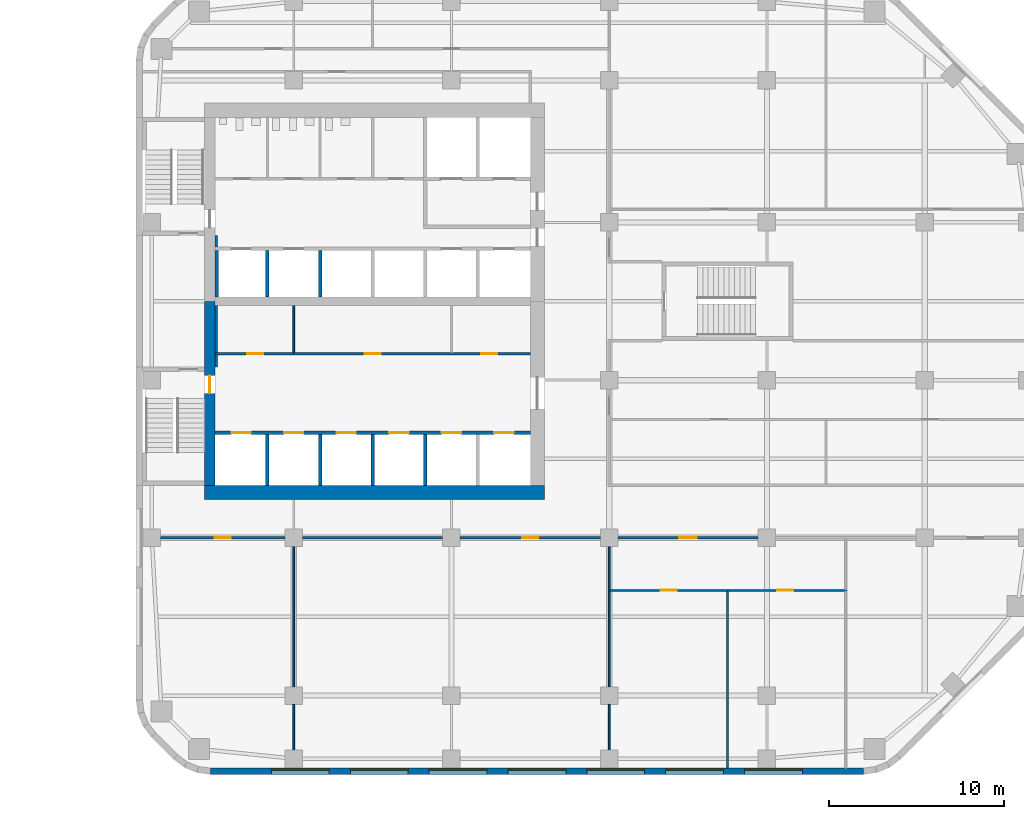
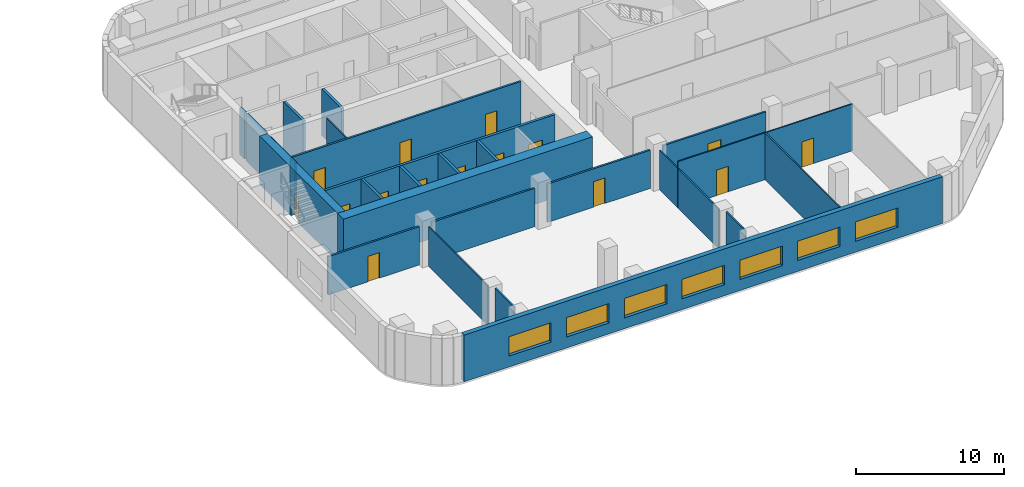
# One storey, part 8 of 14: 27 walls, 15 doors, 7 windows, 22 openings.
"""IFC4 building model written with IfcOpenShell, lengths in metres."""

from ifc_helpers import new_model, si_unit, direction, frame, frame_2d, origin, place, context, subcontext, project, spatial, rectangle, extrude, material, layer, layer_set, type_object, element, fill, save


model = new_model("IFC4")

# Units and contexts
model_context = context("Model", 3, precision=1e-05, world=origin(), true_north=direction((0.0, 1.0)))
body_context = subcontext(model_context, "Body", "Model", "MODEL_VIEW")
ifc_project = project(units=[si_unit("LENGTHUNIT", "METRE"), si_unit("AREAUNIT", "SQUARE_METRE"), si_unit("VOLUMEUNIT", "CUBIC_METRE"), si_unit("PLANEANGLEUNIT", "RADIAN"), si_unit("MASSUNIT", "GRAM", prefix="KILO")], contexts=[model_context])

# Site, building, storey
site_placement = place(None, origin())
site = spatial("IfcSite", under=ifc_project, at=site_placement, CompositionType="ELEMENT")
building_placement = place(site_placement, origin())
building = spatial("IfcBuilding", under=site, at=building_placement, Name="Cinnabar Reach Civic Tower", CompositionType="ELEMENT")
storey_placement = place(building_placement, frame((0.0, 0.0, 116.0)))
storey = spatial("IfcBuildingStorey", under=building, at=storey_placement, Name="L27", CompositionType="ELEMENT", Elevation=116.0)

# Wall, openings, windows
ifc_material_1 = material(Name="Facing brick with insulated backing", Category="masonry")
ifc_layer_1 = layer(ifc_material_1, 0.36)
ifc_layer_set_1 = layer_set([ifc_layer_1], Name="Brick pier and spandrel wall")
wall_type_1 = type_object("IfcWallType", Name="Brick pier and spandrel wall", PredefinedType="STANDARD", material=ifc_layer_set_1)
wall_1_placement = place(storey_placement, frame((4.2426, 4.68, 0.0), z_axis=(0.0, 0.0, 1.0), x_axis=(1.0, 0.0, 0.0)))
wall_1 = element("IfcWall", 1, at=wall_1_placement, inside=storey, type_object=wall_type_1, Name="Brick facade wall", PredefinedType="STANDARD", context=body_context, shape_type="SweptSolid", body=[
    extrude(rectangle(XDim=37.2648, YDim=0.36, at=frame_2d((18.6324, 0.0))), origin(), (0.0, 0.0, 1.0), 3.85),
])
opening_1_placement = place(wall_1_placement, frame((3.4824, 0.0, 0.9)))
opening_1 = element("IfcOpeningElement", 2, at=opening_1_placement, cuts=wall_1, Name="Opening W1567", PredefinedType="OPENING", context=body_context, shape_type="SweptSolid", body=[
    extrude(rectangle(XDim=3.3, YDim=1.6, at=frame_2d((1.65, 0.8))), frame((0.0, 0.19, 0.0), z_axis=(0.0, -1.0, 0.0), x_axis=(1.0, 0.0, 0.0)), (0.0, 0.0, 1.0), 0.38),
])
opening_2_placement = place(wall_1_placement, frame((7.9824, 0.0, 0.9)))
opening_2 = element("IfcOpeningElement", 3, at=opening_2_placement, cuts=wall_1, Name="Opening W1568", PredefinedType="OPENING", context=body_context, shape_type="SweptSolid", body=[
    extrude(rectangle(XDim=3.3, YDim=1.6, at=frame_2d((1.65, 0.8))), frame((0.0, 0.19, 0.0), z_axis=(0.0, -1.0, 0.0), x_axis=(1.0, 0.0, 0.0)), (0.0, 0.0, 1.0), 0.38),
])
opening_3_placement = place(wall_1_placement, frame((12.4824, 0.0, 0.9)))
opening_3 = element("IfcOpeningElement", 4, at=opening_3_placement, cuts=wall_1, Name="Opening W1569", PredefinedType="OPENING", context=body_context, shape_type="SweptSolid", body=[
    extrude(rectangle(XDim=3.3, YDim=1.6, at=frame_2d((1.65, 0.8))), frame((0.0, 0.19, 0.0), z_axis=(0.0, -1.0, 0.0), x_axis=(1.0, 0.0, 0.0)), (0.0, 0.0, 1.0), 0.38),
])
opening_4_placement = place(wall_1_placement, frame((16.9824, 0.0, 0.9)))
opening_4 = element("IfcOpeningElement", 5, at=opening_4_placement, cuts=wall_1, Name="Opening W1570", PredefinedType="OPENING", context=body_context, shape_type="SweptSolid", body=[
    extrude(rectangle(XDim=3.3, YDim=1.6, at=frame_2d((1.65, 0.8))), frame((0.0, 0.19, 0.0), z_axis=(0.0, -1.0, 0.0), x_axis=(1.0, 0.0, 0.0)), (0.0, 0.0, 1.0), 0.38),
])
opening_5_placement = place(wall_1_placement, frame((21.4824, 0.0, 0.9)))
opening_5 = element("IfcOpeningElement", 6, at=opening_5_placement, cuts=wall_1, Name="Opening W1571", PredefinedType="OPENING", context=body_context, shape_type="SweptSolid", body=[
    extrude(rectangle(XDim=3.3, YDim=1.6, at=frame_2d((1.65, 0.8))), frame((0.0, 0.19, 0.0), z_axis=(0.0, -1.0, 0.0), x_axis=(1.0, 0.0, 0.0)), (0.0, 0.0, 1.0), 0.38),
])
opening_6_placement = place(wall_1_placement, frame((25.9824, 0.0, 0.9)))
opening_6 = element("IfcOpeningElement", 7, at=opening_6_placement, cuts=wall_1, Name="Opening W1572", PredefinedType="OPENING", context=body_context, shape_type="SweptSolid", body=[
    extrude(rectangle(XDim=3.3, YDim=1.6, at=frame_2d((1.65, 0.8))), frame((0.0, 0.19, 0.0), z_axis=(0.0, -1.0, 0.0), x_axis=(1.0, 0.0, 0.0)), (0.0, 0.0, 1.0), 0.38),
])
opening_7_placement = place(wall_1_placement, frame((30.4824, 0.0, 0.9)))
opening_7 = element("IfcOpeningElement", 8, at=opening_7_placement, cuts=wall_1, Name="Opening W1573", PredefinedType="OPENING", context=body_context, shape_type="SweptSolid", body=[
    extrude(rectangle(XDim=3.3, YDim=1.6, at=frame_2d((1.65, 0.8))), frame((0.0, 0.19, 0.0), z_axis=(0.0, -1.0, 0.0), x_axis=(1.0, 0.0, 0.0)), (0.0, 0.0, 1.0), 0.38),
])
ifc_material_2 = material(Name="Clear double glazing in aluminium frame", Category="aluminium")
window_type = type_object("IfcWindowType", Name="Deep-set window A", PartitioningType="SINGLE_PANEL", PredefinedType="WINDOW", material=ifc_material_2)
window_1_placement = place(opening_1_placement, origin())
window_1 = element("IfcWindow", 9, at=window_1_placement, inside=storey, type_object=window_type, Name="Window south face", OverallHeight=1.6, OverallWidth=3.3, PartitioningType="SINGLE_PANEL", PredefinedType="WINDOW", context=body_context, shape_type="SweptSolid", body=[
    extrude(rectangle(XDim=3.3, YDim=1.6, at=frame_2d((1.65, 0.8))), frame((0.0, 0.13, 0.0), z_axis=(0.0, -1.0, 0.0), x_axis=(1.0, 0.0, 0.0)), (0.0, 0.0, 1.0), 0.06),
])
fill(opening_1, window_1)
window_2_placement = place(opening_2_placement, origin())
window_2 = element("IfcWindow", 10, at=window_2_placement, inside=storey, type_object=window_type, Name="Window south face", OverallHeight=1.6, OverallWidth=3.3, PartitioningType="SINGLE_PANEL", PredefinedType="WINDOW", context=body_context, shape_type="SweptSolid", body=[
    extrude(rectangle(XDim=3.3, YDim=1.6, at=frame_2d((1.65, 0.8))), frame((0.0, 0.13, 0.0), z_axis=(0.0, -1.0, 0.0), x_axis=(1.0, 0.0, 0.0)), (0.0, 0.0, 1.0), 0.06),
])
fill(opening_2, window_2)
window_3_placement = place(opening_3_placement, origin())
window_3 = element("IfcWindow", 11, at=window_3_placement, inside=storey, type_object=window_type, Name="Window south face", OverallHeight=1.6, OverallWidth=3.3, PartitioningType="SINGLE_PANEL", PredefinedType="WINDOW", context=body_context, shape_type="SweptSolid", body=[
    extrude(rectangle(XDim=3.3, YDim=1.6, at=frame_2d((1.65, 0.8))), frame((0.0, 0.13, 0.0), z_axis=(0.0, -1.0, 0.0), x_axis=(1.0, 0.0, 0.0)), (0.0, 0.0, 1.0), 0.06),
])
fill(opening_3, window_3)
window_4_placement = place(opening_4_placement, origin())
window_4 = element("IfcWindow", 12, at=window_4_placement, inside=storey, type_object=window_type, Name="Window south face", OverallHeight=1.6, OverallWidth=3.3, PartitioningType="SINGLE_PANEL", PredefinedType="WINDOW", context=body_context, shape_type="SweptSolid", body=[
    extrude(rectangle(XDim=3.3, YDim=1.6, at=frame_2d((1.65, 0.8))), frame((0.0, 0.13, 0.0), z_axis=(0.0, -1.0, 0.0), x_axis=(1.0, 0.0, 0.0)), (0.0, 0.0, 1.0), 0.06),
])
fill(opening_4, window_4)
window_5_placement = place(opening_5_placement, origin())
window_5 = element("IfcWindow", 13, at=window_5_placement, inside=storey, type_object=window_type, Name="Window south face", OverallHeight=1.6, OverallWidth=3.3, PartitioningType="SINGLE_PANEL", PredefinedType="WINDOW", context=body_context, shape_type="SweptSolid", body=[
    extrude(rectangle(XDim=3.3, YDim=1.6, at=frame_2d((1.65, 0.8))), frame((0.0, 0.13, 0.0), z_axis=(0.0, -1.0, 0.0), x_axis=(1.0, 0.0, 0.0)), (0.0, 0.0, 1.0), 0.06),
])
fill(opening_5, window_5)
window_6_placement = place(opening_6_placement, origin())
window_6 = element("IfcWindow", 14, at=window_6_placement, inside=storey, type_object=window_type, Name="Window south face", OverallHeight=1.6, OverallWidth=3.3, PartitioningType="SINGLE_PANEL", PredefinedType="WINDOW", context=body_context, shape_type="SweptSolid", body=[
    extrude(rectangle(XDim=3.3, YDim=1.6, at=frame_2d((1.65, 0.8))), frame((0.0, 0.13, 0.0), z_axis=(0.0, -1.0, 0.0), x_axis=(1.0, 0.0, 0.0)), (0.0, 0.0, 1.0), 0.06),
])
fill(opening_6, window_6)
window_7_placement = place(opening_7_placement, origin())
window_7 = element("IfcWindow", 15, at=window_7_placement, inside=storey, type_object=window_type, Name="Window south face", OverallHeight=1.6, OverallWidth=3.3, PartitioningType="SINGLE_PANEL", PredefinedType="WINDOW", context=body_context, shape_type="SweptSolid", body=[
    extrude(rectangle(XDim=3.3, YDim=1.6, at=frame_2d((1.65, 0.8))), frame((0.0, 0.13, 0.0), z_axis=(0.0, -1.0, 0.0), x_axis=(1.0, 0.0, 0.0)), (0.0, 0.0, 1.0), 0.06),
])
fill(opening_7, window_7)

# Wall, opening, door
ifc_material_3 = material(Name="Concrete C70", Category="concrete")
ifc_layer_2 = layer(ifc_material_3, 0.6)
ifc_layer_set_2 = layer_set([ifc_layer_2], Name="Core wall 600 EI 180")
wall_type_2 = type_object("IfcWallType", Name="Core wall 600 EI 180", PredefinedType="SOLIDWALL", material=ifc_layer_set_2)
wall_2_placement = place(storey_placement, frame((4.2, 31.5, 0.0), z_axis=(0.0, 0.0, 1.0), x_axis=(0.0, -1.0, 0.0)))
wall_2 = element("IfcWall", 16, at=wall_2_placement, inside=storey, type_object=wall_type_2, Name="Core wall T1 L27 W2", PredefinedType="SOLIDWALL", context=body_context, shape_type="SweptSolid", body=[
    extrude(rectangle(XDim=10.5, YDim=0.6, at=frame_2d((5.25, 0.0))), origin(), (0.0, 0.0, 1.0), 4.0),
])
opening_8_placement = place(wall_2_placement, frame((4.25, 0.0, 0.0)))
opening_8 = element("IfcOpeningElement", 17, at=opening_8_placement, cuts=wall_2, Name="Opening D4085", PredefinedType="OPENING", context=body_context, shape_type="SweptSolid", body=[
    extrude(rectangle(XDim=1.0, YDim=2.1, at=frame_2d((0.5, 1.05))), frame((0.0, 0.31, 0.0), z_axis=(0.0, -1.0, 0.0), x_axis=(1.0, 0.0, 0.0)), (0.0, 0.0, 1.0), 0.62),
])
ifc_material_4 = material(Name="Timber door leaf in steel frame", Category="steel")
door_type_1 = type_object("IfcDoorType", Name="Stair door 1000 x 2100 T1", OperationType="SINGLE_SWING_LEFT", PredefinedType="DOOR", material=ifc_material_4)
door_1_placement = place(opening_8_placement, frame((1.0, 0.0, 0.0), z_axis=(0.0, 0.0, 1.0), x_axis=(-1.0, 0.0, 0.0)))
door_1 = element("IfcDoor", 18, at=door_1_placement, inside=storey, type_object=door_type_1, Name="Door D4085", OperationType="SINGLE_SWING_RIGHT", OverallHeight=2.1, OverallWidth=1.0, PredefinedType="DOOR", context=body_context, shape_type="SweptSolid", body=[
    extrude(rectangle(XDim=1.0, YDim=2.1, at=frame_2d((0.5, 1.05))), frame((0.0, 0.025, 0.0), z_axis=(0.0, -1.0, 0.0), x_axis=(1.0, 0.0, 0.0)), (0.0, 0.0, 1.0), 0.05),
])
fill(opening_8, door_1)

# Wall
ifc_layer_3 = layer(ifc_material_3, 0.8)
ifc_layer_set_3 = layer_set([ifc_layer_3], Name="Core wall 800 EI 180")
wall_type_3 = type_object("IfcWallType", Name="Core wall 800 EI 180", PredefinedType="SOLIDWALL", material=ifc_layer_set_3)
wall_3_placement = place(storey_placement, frame((3.9, 20.6, 0.0), z_axis=(0.0, 0.0, 1.0), x_axis=(1.0, 0.0, 0.0)))
element("IfcWall", 19, at=wall_3_placement, inside=storey, type_object=wall_type_3, Name="Core wall T1 L27 S", PredefinedType="SOLIDWALL", context=body_context, shape_type="SweptSolid", body=[
    extrude(rectangle(XDim=19.4, YDim=0.8, at=frame_2d((9.7, 0.0))), origin(), (0.0, 0.0, 1.0), 4.0),
])

# Wall, opening, door
ifc_material_5 = material(Name="Gypsum board on steel studs, double layer", Category="steel")
ifc_layer_4 = layer(ifc_material_5, 0.15)
ifc_layer_set_4 = layer_set([ifc_layer_4], Name="Corridor wall 150 T1")
wall_type_4 = type_object("IfcWallType", Name="Corridor wall 150 T1", PredefinedType="PARTITIONING", material=ifc_layer_set_4)
wall_4_placement = place(storey_placement, frame((27.5, 18.0, 0.0), z_axis=(0.0, 0.0, 1.0), x_axis=(1.0, 0.0, 0.0)))
wall_4 = element("IfcWall", 20, at=wall_4_placement, inside=storey, type_object=wall_type_4, Name="Corridor wall 21", PredefinedType="PARTITIONING", context=body_context, shape_type="SweptSolid", body=[
    extrude(rectangle(XDim=8.0, YDim=0.15, at=frame_2d((4.0, 0.0))), origin(), (0.0, 0.0, 1.0), 3.158),
])
opening_9_placement = place(wall_4_placement, frame((3.5, 0.0, 0.0)))
opening_9 = element("IfcOpeningElement", 21, at=opening_9_placement, cuts=wall_4, Name="Opening D4120", PredefinedType="OPENING", context=body_context, shape_type="SweptSolid", body=[
    extrude(rectangle(XDim=1.0, YDim=2.1, at=frame_2d((0.5, 1.05))), frame((0.0, 0.085, 0.0), z_axis=(0.0, -1.0, 0.0), x_axis=(1.0, 0.0, 0.0)), (0.0, 0.0, 1.0), 0.17),
])
door_type_2 = type_object("IfcDoorType", Name="Tenancy entrance door 1000 x 2100 T1", OperationType="SINGLE_SWING_LEFT", PredefinedType="DOOR", material=ifc_material_4)
door_2_placement = place(opening_9_placement, frame((1.0, 0.0, 0.0), z_axis=(0.0, 0.0, 1.0), x_axis=(-1.0, 0.0, 0.0)))
door_2 = element("IfcDoor", 22, at=door_2_placement, inside=storey, type_object=door_type_2, Name="Door D4120", OperationType="SINGLE_SWING_RIGHT", OverallHeight=2.1, OverallWidth=1.0, PredefinedType="DOOR", context=body_context, shape_type="SweptSolid", body=[
    extrude(rectangle(XDim=1.0, YDim=2.1, at=frame_2d((0.5, 1.05))), frame((0.0, 0.025, 0.0), z_axis=(0.0, -1.0, 0.0), x_axis=(1.0, 0.0, 0.0)), (0.0, 0.0, 1.0), 0.05),
])
fill(opening_9, door_2)

wall_5_placement = place(storey_placement, frame((18.5, 18.0, 0.0), z_axis=(0.0, 0.0, 1.0), x_axis=(1.0, 0.0, 0.0)))
wall_5 = element("IfcWall", 23, at=wall_5_placement, inside=storey, type_object=wall_type_4, Name="Corridor wall 22", PredefinedType="PARTITIONING", context=body_context, shape_type="SweptSolid", body=[
    extrude(rectangle(XDim=8.0, YDim=0.15, at=frame_2d((4.0, 0.0))), origin(), (0.0, 0.0, 1.0), 3.158),
])
opening_10_placement = place(wall_5_placement, frame((3.55, 0.0, 0.0)))
opening_10 = element("IfcOpeningElement", 24, at=opening_10_placement, cuts=wall_5, Name="Opening D4119", PredefinedType="OPENING", context=body_context, shape_type="SweptSolid", body=[
    extrude(rectangle(XDim=0.9, YDim=2.1, at=frame_2d((0.45, 1.05))), frame((0.0, 0.085, 0.0), z_axis=(0.0, -1.0, 0.0), x_axis=(1.0, 0.0, 0.0)), (0.0, 0.0, 1.0), 0.17),
])
door_type_3 = type_object("IfcDoorType", Name="Single swing door 900 x 2100 corridor T1", OperationType="SINGLE_SWING_LEFT", PredefinedType="DOOR", material=ifc_material_4)
door_3_placement = place(opening_10_placement, frame((0.9, 0.0, 0.0), z_axis=(0.0, 0.0, 1.0), x_axis=(-1.0, 0.0, 0.0)))
door_3 = element("IfcDoor", 25, at=door_3_placement, inside=storey, type_object=door_type_3, Name="Door D4119", OperationType="SINGLE_SWING_RIGHT", OverallHeight=2.1, OverallWidth=0.9, PredefinedType="DOOR", context=body_context, shape_type="SweptSolid", body=[
    extrude(rectangle(XDim=0.9, YDim=2.1, at=frame_2d((0.45, 1.05))), frame((0.0, 0.025, 0.0), z_axis=(0.0, -1.0, 0.0), x_axis=(1.0, 0.0, 0.0)), (0.0, 0.0, 1.0), 0.05),
])
fill(opening_10, door_3)

# Wall
wall_6_placement = place(storey_placement, frame((9.5, 18.0, 0.0), z_axis=(0.0, 0.0, 1.0), x_axis=(1.0, 0.0, 0.0)))
element("IfcWall", 26, at=wall_6_placement, inside=storey, type_object=wall_type_4, Name="Corridor wall 23", PredefinedType="PARTITIONING", context=body_context, shape_type="SweptSolid", body=[
    extrude(rectangle(XDim=8.0, YDim=0.15, at=frame_2d((4.0, 0.0))), origin(), (0.0, 0.0, 1.0), 3.158),
])

# Wall, opening, door
wall_7_placement = place(storey_placement, frame((1.4, 18.0, 0.0), z_axis=(0.0, 0.0, 1.0), x_axis=(1.0, 0.0, 0.0)))
wall_7 = element("IfcWall", 27, at=wall_7_placement, inside=storey, type_object=wall_type_4, Name="Corridor wall 24", PredefinedType="PARTITIONING", context=body_context, shape_type="SweptSolid", body=[
    extrude(rectangle(XDim=7.1, YDim=0.15, at=frame_2d((3.55, 0.0))), origin(), (0.0, 0.0, 1.0), 3.158),
])
opening_11_placement = place(wall_7_placement, frame((3.1, 0.0, 0.0)))
opening_11 = element("IfcOpeningElement", 28, at=opening_11_placement, cuts=wall_7, Name="Opening D4118", PredefinedType="OPENING", context=body_context, shape_type="SweptSolid", body=[
    extrude(rectangle(XDim=0.9, YDim=2.1, at=frame_2d((0.45, 1.05))), frame((0.0, 0.085, 0.0), z_axis=(0.0, -1.0, 0.0), x_axis=(1.0, 0.0, 0.0)), (0.0, 0.0, 1.0), 0.17),
])
door_4_placement = place(opening_11_placement, frame((0.9, 0.0, 0.0), z_axis=(0.0, 0.0, 1.0), x_axis=(-1.0, 0.0, 0.0)))
door_4 = element("IfcDoor", 29, at=door_4_placement, inside=storey, type_object=door_type_3, Name="Door D4118", OperationType="SINGLE_SWING_LEFT", OverallHeight=2.1, OverallWidth=0.9, PredefinedType="DOOR", context=body_context, shape_type="SweptSolid", body=[
    extrude(rectangle(XDim=0.9, YDim=2.1, at=frame_2d((0.45, 1.05))), frame((0.0, 0.025, 0.0), z_axis=(0.0, -1.0, 0.0), x_axis=(1.0, 0.0, 0.0)), (0.0, 0.0, 1.0), 0.05),
])
fill(opening_11, door_4)

# Wall, openings, doors
wall_8_placement = place(storey_placement, frame((4.5, 28.5, 0.0), z_axis=(0.0, 0.0, 1.0), x_axis=(1.0, 0.0, 0.0)))
wall_8 = element("IfcWall", 30, at=wall_8_placement, inside=storey, type_object=wall_type_4, Name="Corridor wall 28", PredefinedType="PARTITIONING", context=body_context, shape_type="SweptSolid", body=[
    extrude(rectangle(XDim=18.0, YDim=0.15, at=frame_2d((9.0, 0.0))), origin(), (0.0, 0.0, 1.0), 3.85),
])
opening_12_placement = place(wall_8_placement, frame((1.85, 0.0, 0.0)))
opening_12 = element("IfcOpeningElement", 31, at=opening_12_placement, cuts=wall_8, Name="Opening D4105", PredefinedType="OPENING", context=body_context, shape_type="SweptSolid", body=[
    extrude(rectangle(XDim=0.9, YDim=2.1, at=frame_2d((0.45, 1.05))), frame((0.0, 0.085, 0.0), z_axis=(0.0, -1.0, 0.0), x_axis=(1.0, 0.0, 0.0)), (0.0, 0.0, 1.0), 0.17),
])
opening_13_placement = place(wall_8_placement, frame((8.55, 0.0, 0.0)))
opening_13 = element("IfcOpeningElement", 32, at=opening_13_placement, cuts=wall_8, Name="Opening D4106", PredefinedType="OPENING", context=body_context, shape_type="SweptSolid", body=[
    extrude(rectangle(XDim=0.9, YDim=2.1, at=frame_2d((0.45, 1.05))), frame((0.0, 0.085, 0.0), z_axis=(0.0, -1.0, 0.0), x_axis=(1.0, 0.0, 0.0)), (0.0, 0.0, 1.0), 0.17),
])
opening_14_placement = place(wall_8_placement, frame((15.2, 0.0, 0.0)))
opening_14 = element("IfcOpeningElement", 33, at=opening_14_placement, cuts=wall_8, Name="Opening D4107", PredefinedType="OPENING", context=body_context, shape_type="SweptSolid", body=[
    extrude(rectangle(XDim=0.9, YDim=2.1, at=frame_2d((0.45, 1.05))), frame((0.0, 0.085, 0.0), z_axis=(0.0, -1.0, 0.0), x_axis=(1.0, 0.0, 0.0)), (0.0, 0.0, 1.0), 0.17),
])
door_5_placement = place(opening_12_placement, origin())
door_5 = element("IfcDoor", 34, at=door_5_placement, inside=storey, type_object=door_type_3, Name="Door D4105", OperationType="SINGLE_SWING_LEFT", OverallHeight=2.1, OverallWidth=0.9, PredefinedType="DOOR", context=body_context, shape_type="SweptSolid", body=[
    extrude(rectangle(XDim=0.9, YDim=2.1, at=frame_2d((0.45, 1.05))), frame((0.0, 0.025, 0.0), z_axis=(0.0, -1.0, 0.0), x_axis=(1.0, 0.0, 0.0)), (0.0, 0.0, 1.0), 0.05),
])
fill(opening_12, door_5)
door_6_placement = place(opening_13_placement, origin())
door_6 = element("IfcDoor", 35, at=door_6_placement, inside=storey, type_object=door_type_3, Name="Door D4106", OperationType="SINGLE_SWING_RIGHT", OverallHeight=2.1, OverallWidth=0.9, PredefinedType="DOOR", context=body_context, shape_type="SweptSolid", body=[
    extrude(rectangle(XDim=0.9, YDim=2.1, at=frame_2d((0.45, 1.05))), frame((0.0, 0.025, 0.0), z_axis=(0.0, -1.0, 0.0), x_axis=(1.0, 0.0, 0.0)), (0.0, 0.0, 1.0), 0.05),
])
fill(opening_13, door_6)
door_7_placement = place(opening_14_placement, origin())
door_7 = element("IfcDoor", 36, at=door_7_placement, inside=storey, type_object=door_type_3, Name="Door D4107", OperationType="SINGLE_SWING_RIGHT", OverallHeight=2.1, OverallWidth=0.9, PredefinedType="DOOR", context=body_context, shape_type="SweptSolid", body=[
    extrude(rectangle(XDim=0.9, YDim=2.1, at=frame_2d((0.45, 1.05))), frame((0.0, 0.025, 0.0), z_axis=(0.0, -1.0, 0.0), x_axis=(1.0, 0.0, 0.0)), (0.0, 0.0, 1.0), 0.05),
])
fill(opening_14, door_7)

# Walls
wall_9_placement = place(storey_placement, frame((4.575, 27.75, 0.0), z_axis=(0.0, 0.0, 1.0), x_axis=(0.0, 1.0, 0.0)))
element("IfcWall", 37, at=wall_9_placement, inside=storey, type_object=wall_type_4, Name="Corridor wall 35", PredefinedType="PARTITIONING", context=body_context, shape_type="SweptSolid", body=[
    extrude(rectangle(XDim=0.675, YDim=0.15, at=frame_2d((0.3375, 0.0))), origin(), (0.0, 0.0, 1.0), 3.85),
])
wall_10_placement = place(storey_placement, frame((4.575, 28.575, 0.0), z_axis=(0.0, 0.0, 1.0), x_axis=(0.0, 1.0, 0.0)))
element("IfcWall", 38, at=wall_10_placement, inside=storey, type_object=wall_type_4, Name="Corridor wall 36", PredefinedType="PARTITIONING", context=body_context, shape_type="SweptSolid", body=[
    extrude(rectangle(XDim=2.675, YDim=0.15, at=frame_2d((1.3375, 0.0))), origin(), (0.0, 0.0, 1.0), 3.85),
])
wall_11_placement = place(storey_placement, frame((4.575, 34.6, 0.0), z_axis=(0.0, 0.0, 1.0), x_axis=(0.0, 1.0, 0.0)))
element("IfcWall", 39, at=wall_11_placement, inside=storey, type_object=wall_type_4, Name="Corridor wall 40", PredefinedType="PARTITIONING", context=body_context, shape_type="SweptSolid", body=[
    extrude(rectangle(XDim=0.65, YDim=0.15, at=frame_2d((0.325, 0.0))), origin(), (0.0, 0.0, 1.0), 3.85),
])

# Wall, openings, doors
ifc_material_6 = material(Name="Blockwork", Category="masonry")
ifc_layer_5 = layer(ifc_material_6, 0.2)
ifc_layer_set_5 = layer_set([ifc_layer_5], Name="Lift shaft wall 200 T1")
wall_type_5 = type_object("IfcWallType", Name="Lift shaft wall 200 T1", PredefinedType="PARTITIONING", material=ifc_layer_set_5)
wall_12_placement = place(storey_placement, frame((4.5, 24.0, 0.0), z_axis=(0.0, 0.0, 1.0), x_axis=(1.0, 0.0, 0.0)))
wall_12 = element("IfcWall", 40, at=wall_12_placement, inside=storey, type_object=wall_type_5, Name="Lift shaft wall 4", PredefinedType="PARTITIONING", context=body_context, shape_type="SweptSolid", body=[
    extrude(rectangle(XDim=18.0, YDim=0.2, at=frame_2d((9.0, 0.0))), origin(), (0.0, 0.0, 1.0), 3.85),
])
opening_15_placement = place(wall_12_placement, frame((0.95, 0.0, 0.0)))
opening_15 = element("IfcOpeningElement", 41, at=opening_15_placement, cuts=wall_12, Name="Opening D4089", PredefinedType="OPENING", context=body_context, shape_type="SweptSolid", body=[
    extrude(rectangle(XDim=1.1, YDim=2.1, at=frame_2d((0.55, 1.05))), frame((0.0, 0.11, 0.0), z_axis=(0.0, -1.0, 0.0), x_axis=(1.0, 0.0, 0.0)), (0.0, 0.0, 1.0), 0.22),
])
opening_16_placement = place(wall_12_placement, frame((3.95, 0.0, 0.0)))
opening_16 = element("IfcOpeningElement", 42, at=opening_16_placement, cuts=wall_12, Name="Opening D4090", PredefinedType="OPENING", context=body_context, shape_type="SweptSolid", body=[
    extrude(rectangle(XDim=1.1, YDim=2.1, at=frame_2d((0.55, 1.05))), frame((0.0, 0.11, 0.0), z_axis=(0.0, -1.0, 0.0), x_axis=(1.0, 0.0, 0.0)), (0.0, 0.0, 1.0), 0.22),
])
opening_17_placement = place(wall_12_placement, frame((6.95, 0.0, 0.0)))
opening_17 = element("IfcOpeningElement", 43, at=opening_17_placement, cuts=wall_12, Name="Opening D4091", PredefinedType="OPENING", context=body_context, shape_type="SweptSolid", body=[
    extrude(rectangle(XDim=1.1, YDim=2.1, at=frame_2d((0.55, 1.05))), frame((0.0, 0.11, 0.0), z_axis=(0.0, -1.0, 0.0), x_axis=(1.0, 0.0, 0.0)), (0.0, 0.0, 1.0), 0.22),
])
opening_18_placement = place(wall_12_placement, frame((9.95, 0.0, 0.0)))
opening_18 = element("IfcOpeningElement", 44, at=opening_18_placement, cuts=wall_12, Name="Opening D4092", PredefinedType="OPENING", context=body_context, shape_type="SweptSolid", body=[
    extrude(rectangle(XDim=1.1, YDim=2.1, at=frame_2d((0.55, 1.05))), frame((0.0, 0.11, 0.0), z_axis=(0.0, -1.0, 0.0), x_axis=(1.0, 0.0, 0.0)), (0.0, 0.0, 1.0), 0.22),
])
opening_19_placement = place(wall_12_placement, frame((12.95, 0.0, 0.0)))
opening_19 = element("IfcOpeningElement", 45, at=opening_19_placement, cuts=wall_12, Name="Opening D4093", PredefinedType="OPENING", context=body_context, shape_type="SweptSolid", body=[
    extrude(rectangle(XDim=1.1, YDim=2.1, at=frame_2d((0.55, 1.05))), frame((0.0, 0.11, 0.0), z_axis=(0.0, -1.0, 0.0), x_axis=(1.0, 0.0, 0.0)), (0.0, 0.0, 1.0), 0.22),
])
opening_20_placement = place(wall_12_placement, frame((15.95, 0.0, 0.0)))
opening_20 = element("IfcOpeningElement", 46, at=opening_20_placement, cuts=wall_12, Name="Opening D4094", PredefinedType="OPENING", context=body_context, shape_type="SweptSolid", body=[
    extrude(rectangle(XDim=1.1, YDim=2.1, at=frame_2d((0.55, 1.05))), frame((0.0, 0.11, 0.0), z_axis=(0.0, -1.0, 0.0), x_axis=(1.0, 0.0, 0.0)), (0.0, 0.0, 1.0), 0.22),
])
ifc_material_7 = material(Name="Stainless steel sliding door", Category="steel")
door_type_4 = type_object("IfcDoorType", Name="Lift landing door 1100 x 2100 T1", OperationType="SLIDING_TO_LEFT", PredefinedType="DOOR", material=ifc_material_7)
door_8_placement = place(opening_15_placement, origin())
door_8 = element("IfcDoor", 47, at=door_8_placement, inside=storey, type_object=door_type_4, Name="Lift landing door LR1 L27", OperationType="SLIDING_TO_LEFT", OverallHeight=2.1, OverallWidth=1.1, PredefinedType="DOOR", context=body_context, shape_type="SweptSolid", body=[
    extrude(rectangle(XDim=1.1, YDim=2.1, at=frame_2d((0.55, 1.05))), frame((0.0, 0.025, 0.0), z_axis=(0.0, -1.0, 0.0), x_axis=(1.0, 0.0, 0.0)), (0.0, 0.0, 1.0), 0.05),
])
fill(opening_15, door_8)
door_9_placement = place(opening_16_placement, origin())
door_9 = element("IfcDoor", 48, at=door_9_placement, inside=storey, type_object=door_type_4, Name="Lift landing door LR2 L27", OperationType="SLIDING_TO_LEFT", OverallHeight=2.1, OverallWidth=1.1, PredefinedType="DOOR", context=body_context, shape_type="SweptSolid", body=[
    extrude(rectangle(XDim=1.1, YDim=2.1, at=frame_2d((0.55, 1.05))), frame((0.0, 0.025, 0.0), z_axis=(0.0, -1.0, 0.0), x_axis=(1.0, 0.0, 0.0)), (0.0, 0.0, 1.0), 0.05),
])
fill(opening_16, door_9)
door_10_placement = place(opening_17_placement, origin())
door_10 = element("IfcDoor", 49, at=door_10_placement, inside=storey, type_object=door_type_4, Name="Lift landing door LR3 L27", OperationType="SLIDING_TO_LEFT", OverallHeight=2.1, OverallWidth=1.1, PredefinedType="DOOR", context=body_context, shape_type="SweptSolid", body=[
    extrude(rectangle(XDim=1.1, YDim=2.1, at=frame_2d((0.55, 1.05))), frame((0.0, 0.025, 0.0), z_axis=(0.0, -1.0, 0.0), x_axis=(1.0, 0.0, 0.0)), (0.0, 0.0, 1.0), 0.05),
])
fill(opening_17, door_10)
door_11_placement = place(opening_18_placement, origin())
door_11 = element("IfcDoor", 50, at=door_11_placement, inside=storey, type_object=door_type_4, Name="Lift landing door LR4 L27", OperationType="SLIDING_TO_LEFT", OverallHeight=2.1, OverallWidth=1.1, PredefinedType="DOOR", context=body_context, shape_type="SweptSolid", body=[
    extrude(rectangle(XDim=1.1, YDim=2.1, at=frame_2d((0.55, 1.05))), frame((0.0, 0.025, 0.0), z_axis=(0.0, -1.0, 0.0), x_axis=(1.0, 0.0, 0.0)), (0.0, 0.0, 1.0), 0.05),
])
fill(opening_18, door_11)
door_12_placement = place(opening_19_placement, origin())
door_12 = element("IfcDoor", 51, at=door_12_placement, inside=storey, type_object=door_type_4, Name="Lift landing door LR5 L27", OperationType="SLIDING_TO_LEFT", OverallHeight=2.1, OverallWidth=1.1, PredefinedType="DOOR", context=body_context, shape_type="SweptSolid", body=[
    extrude(rectangle(XDim=1.1, YDim=2.1, at=frame_2d((0.55, 1.05))), frame((0.0, 0.025, 0.0), z_axis=(0.0, -1.0, 0.0), x_axis=(1.0, 0.0, 0.0)), (0.0, 0.0, 1.0), 0.05),
])
fill(opening_19, door_12)
door_13_placement = place(opening_20_placement, origin())
door_13 = element("IfcDoor", 52, at=door_13_placement, inside=storey, type_object=door_type_4, Name="Lift landing door LR6 L27", OperationType="SLIDING_TO_LEFT", OverallHeight=2.1, OverallWidth=1.1, PredefinedType="DOOR", context=body_context, shape_type="SweptSolid", body=[
    extrude(rectangle(XDim=1.1, YDim=2.1, at=frame_2d((0.55, 1.05))), frame((0.0, 0.025, 0.0), z_axis=(0.0, -1.0, 0.0), x_axis=(1.0, 0.0, 0.0)), (0.0, 0.0, 1.0), 0.05),
])
fill(opening_20, door_13)

# Walls
wall_13_placement = place(storey_placement, frame((4.6, 31.75, 0.0), z_axis=(0.0, 0.0, 1.0), x_axis=(0.0, 1.0, 0.0)))
element("IfcWall", 53, at=wall_13_placement, inside=storey, type_object=wall_type_5, Name="Lift shaft wall 8", PredefinedType="PARTITIONING", context=body_context, shape_type="SweptSolid", body=[
    extrude(rectangle(XDim=2.65, YDim=0.2, at=frame_2d((1.325, 0.0))), origin(), (0.0, 0.0, 1.0), 3.85),
])
wall_14_placement = place(storey_placement, frame((7.5, 21.0, 0.0), z_axis=(0.0, 0.0, 1.0), x_axis=(0.0, 1.0, 0.0)))
element("IfcWall", 54, at=wall_14_placement, inside=storey, type_object=wall_type_5, Name="Lift shaft wall 9", PredefinedType="PARTITIONING", context=body_context, shape_type="SweptSolid", body=[
    extrude(rectangle(XDim=2.9, YDim=0.2, at=frame_2d((1.45, 0.0))), origin(), (0.0, 0.0, 1.0), 3.85),
])
wall_15_placement = place(storey_placement, frame((7.5, 31.75, 0.0), z_axis=(0.0, 0.0, 1.0), x_axis=(0.0, 1.0, 0.0)))
element("IfcWall", 55, at=wall_15_placement, inside=storey, type_object=wall_type_5, Name="Lift shaft wall 10", PredefinedType="PARTITIONING", context=body_context, shape_type="SweptSolid", body=[
    extrude(rectangle(XDim=2.65, YDim=0.2, at=frame_2d((1.325, 0.0))), origin(), (0.0, 0.0, 1.0), 3.85),
])
wall_16_placement = place(storey_placement, frame((10.5, 21.0, 0.0), z_axis=(0.0, 0.0, 1.0), x_axis=(0.0, 1.0, 0.0)))
element("IfcWall", 56, at=wall_16_placement, inside=storey, type_object=wall_type_5, Name="Lift shaft wall 11", PredefinedType="PARTITIONING", context=body_context, shape_type="SweptSolid", body=[
    extrude(rectangle(XDim=2.9, YDim=0.2, at=frame_2d((1.45, 0.0))), origin(), (0.0, 0.0, 1.0), 3.85),
])
wall_17_placement = place(storey_placement, frame((10.5, 31.75, 0.0), z_axis=(0.0, 0.0, 1.0), x_axis=(0.0, 1.0, 0.0)))
element("IfcWall", 57, at=wall_17_placement, inside=storey, type_object=wall_type_5, Name="Lift shaft wall 12", PredefinedType="PARTITIONING", context=body_context, shape_type="SweptSolid", body=[
    extrude(rectangle(XDim=2.65, YDim=0.2, at=frame_2d((1.325, 0.0))), origin(), (0.0, 0.0, 1.0), 3.85),
])
for number, where, z_axis, x_axis, name in (
    (58, (13.5, 21.0, 0.0), (0.0, 0.0, 1.0), (0.0, 1.0, 0.0), "Lift shaft wall 13"),
    (59, (16.5, 21.0, 0.0), (0.0, 0.0, 1.0), (0.0, 1.0, 0.0), "Lift shaft wall 15"),
):
    element("IfcWall", number, at=place(storey_placement, frame(where, z_axis=z_axis, x_axis=x_axis)), inside=storey, type_object=wall_type_5, Name=name, PredefinedType="PARTITIONING", context=body_context, shape_type="SweptSolid", body=[
        extrude(rectangle(XDim=2.9, YDim=0.2, at=frame_2d((1.45, 0.0))), origin(), (0.0, 0.0, 1.0), 3.85),
    ])

# Wall, openings, doors
ifc_material_8 = material(Name="Gypsum board on steel studs", Category="steel")
ifc_layer_6 = layer(ifc_material_8, 0.1)
ifc_layer_set_6 = layer_set([ifc_layer_6], Name="Partition wall 100 T1")
wall_type_6 = type_object("IfcWallType", Name="Partition wall 100 T1", PredefinedType="PARTITIONING", material=ifc_layer_set_6)
wall_18_placement = place(storey_placement, frame((26.95, 15.0, 0.0), z_axis=(0.0, 0.0, 1.0), x_axis=(1.0, 0.0, 0.0)))
wall_18 = element("IfcWall", 60, at=wall_18_placement, inside=storey, type_object=wall_type_6, Name="Partition wall 45", PredefinedType="PARTITIONING", context=body_context, shape_type="SweptSolid", body=[
    extrude(rectangle(XDim=13.6, YDim=0.1, at=frame_2d((6.8, 0.0))), origin(), (0.0, 0.0, 1.0), 3.85),
])
opening_21_placement = place(wall_18_placement, frame((3.0, 0.0, 0.0)))
opening_21 = element("IfcOpeningElement", 61, at=opening_21_placement, cuts=wall_18, Name="Opening D4121", PredefinedType="OPENING", context=body_context, shape_type="SweptSolid", body=[
    extrude(rectangle(XDim=0.9, YDim=2.1, at=frame_2d((0.45, 1.05))), frame((0.0, 0.06, 0.0), z_axis=(0.0, -1.0, 0.0), x_axis=(1.0, 0.0, 0.0)), (0.0, 0.0, 1.0), 0.12),
])
opening_22_placement = place(wall_18_placement, frame((9.65, 0.0, 0.0)))
opening_22 = element("IfcOpeningElement", 62, at=opening_22_placement, cuts=wall_18, Name="Opening D4122", PredefinedType="OPENING", context=body_context, shape_type="SweptSolid", body=[
    extrude(rectangle(XDim=0.9, YDim=2.1, at=frame_2d((0.45, 1.05))), frame((0.0, 0.06, 0.0), z_axis=(0.0, -1.0, 0.0), x_axis=(1.0, 0.0, 0.0)), (0.0, 0.0, 1.0), 0.12),
])
door_type_5 = type_object("IfcDoorType", Name="Single swing door 900 x 2100 T1", OperationType="SINGLE_SWING_LEFT", PredefinedType="DOOR", material=ifc_material_4)
door_14_placement = place(opening_21_placement, origin())
door_14 = element("IfcDoor", 63, at=door_14_placement, inside=storey, type_object=door_type_5, Name="Door D4121", OperationType="SINGLE_SWING_RIGHT", OverallHeight=2.1, OverallWidth=0.9, PredefinedType="DOOR", context=body_context, shape_type="SweptSolid", body=[
    extrude(rectangle(XDim=0.9, YDim=2.1, at=frame_2d((0.45, 1.05))), frame((0.0, 0.025, 0.0), z_axis=(0.0, -1.0, 0.0), x_axis=(1.0, 0.0, 0.0)), (0.0, 0.0, 1.0), 0.05),
])
fill(opening_21, door_14)
door_15_placement = place(opening_22_placement, origin())
door_15 = element("IfcDoor", 64, at=door_15_placement, inside=storey, type_object=door_type_5, Name="Door D4122", OperationType="SINGLE_SWING_LEFT", OverallHeight=2.1, OverallWidth=0.9, PredefinedType="DOOR", context=body_context, shape_type="SweptSolid", body=[
    extrude(rectangle(XDim=0.9, YDim=2.1, at=frame_2d((0.45, 1.05))), frame((0.0, 0.025, 0.0), z_axis=(0.0, -1.0, 0.0), x_axis=(1.0, 0.0, 0.0)), (0.0, 0.0, 1.0), 0.05),
])
fill(opening_22, door_15)

# Walls
wall_19_placement = place(storey_placement, frame((9.0, 5.9, 0.0), z_axis=(0.0, 0.0, 1.0), x_axis=(0.0, 1.0, 0.0)))
element("IfcWall", 65, at=wall_19_placement, inside=storey, type_object=wall_type_6, Name="Partition wall 46", PredefinedType="PARTITIONING", context=body_context, shape_type="SweptSolid", body=[
    extrude(rectangle(XDim=2.6, YDim=0.1, at=frame_2d((1.3, 0.0))), origin(), (0.0, 0.0, 1.0), 3.652),
])
wall_20_placement = place(storey_placement, frame((9.0, 9.5, 0.0), z_axis=(0.0, 0.0, 1.0), x_axis=(0.0, 1.0, 0.0)))
element("IfcWall", 66, at=wall_20_placement, inside=storey, type_object=wall_type_6, Name="Partition wall 47", PredefinedType="PARTITIONING", context=body_context, shape_type="SweptSolid", body=[
    extrude(rectangle(XDim=8.0, YDim=0.1, at=frame_2d((4.0, 0.0))), origin(), (0.0, 0.0, 1.0), 3.256),
])
wall_21_placement = place(storey_placement, frame((27.0, 5.9, 0.0), z_axis=(0.0, 0.0, 1.0), x_axis=(0.0, 1.0, 0.0)))
element("IfcWall", 67, at=wall_21_placement, inside=storey, type_object=wall_type_6, Name="Partition wall 48", PredefinedType="PARTITIONING", context=body_context, shape_type="SweptSolid", body=[
    extrude(rectangle(XDim=2.6, YDim=0.1, at=frame_2d((1.3, 0.0))), origin(), (0.0, 0.0, 1.0), 3.652),
])
wall_22_placement = place(storey_placement, frame((27.0, 15.05, 0.0), z_axis=(0.0, 0.0, 1.0), x_axis=(0.0, 1.0, 0.0)))
element("IfcWall", 68, at=wall_22_placement, inside=storey, type_object=wall_type_6, Name="Partition wall 49", PredefinedType="PARTITIONING", context=body_context, shape_type="SweptSolid", body=[
    extrude(rectangle(XDim=2.45, YDim=0.1, at=frame_2d((1.225, 0.0))), origin(), (0.0, 0.0, 1.0), 3.256),
])
wall_23_placement = place(storey_placement, frame((27.0, 9.5, 0.0), z_axis=(0.0, 0.0, 1.0), x_axis=(0.0, 1.0, 0.0)))
element("IfcWall", 69, at=wall_23_placement, inside=storey, type_object=wall_type_6, Name="Partition wall 50", PredefinedType="PARTITIONING", context=body_context, shape_type="SweptSolid", body=[
    extrude(rectangle(XDim=5.45, YDim=0.1, at=frame_2d((2.725, 0.0))), origin(), (0.0, 0.0, 1.0), 3.256),
])
wall_24_placement = place(storey_placement, frame((33.75, 4.86, 0.0), z_axis=(0.0, 0.0, 1.0), x_axis=(0.0, 1.0, 0.0)))
element("IfcWall", 70, at=wall_24_placement, inside=storey, type_object=wall_type_6, Name="Partition wall 54", PredefinedType="PARTITIONING", context=body_context, shape_type="SweptSolid", body=[
    extrude(rectangle(XDim=10.09, YDim=0.1, at=frame_2d((5.045, 0.0))), origin(), (0.0, 0.0, 1.0), 3.85),
])
wall_25_placement = place(storey_placement, frame((9.0, 28.575, 0.0), z_axis=(0.0, 0.0, 1.0), x_axis=(0.0, 1.0, 0.0)))
element("IfcWall", 71, at=wall_25_placement, inside=storey, type_object=wall_type_6, Name="Partition wall 60", PredefinedType="PARTITIONING", context=body_context, shape_type="SweptSolid", body=[
    extrude(rectangle(XDim=2.675, YDim=0.1, at=frame_2d((1.3375, 0.0))), origin(), (0.0, 0.0, 1.0), 3.85),
])

save(model, "model.ifc")
